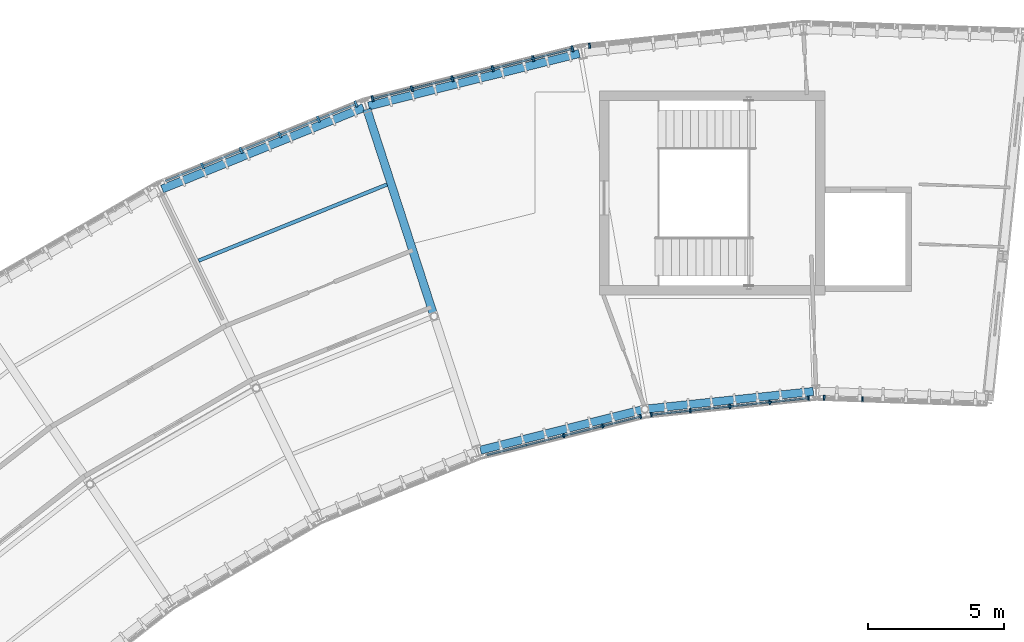
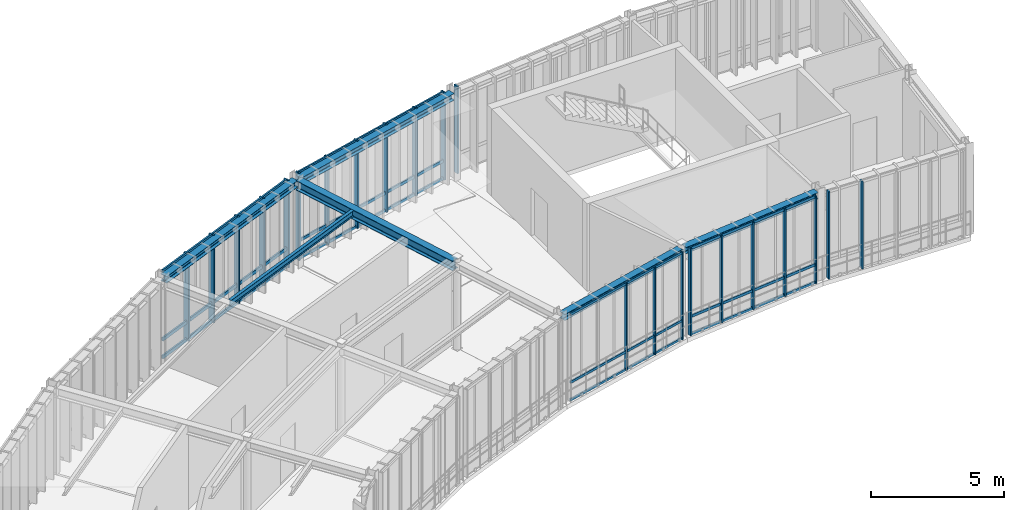
# One storey, part 21 of 52: 34 members, 6 beams, 6 elements without a shape of their own.
"""IFC4 building model written with IfcOpenShell, lengths in metres."""

from ifc_helpers import new_model, si_unit, direction, frame, origin, origin_2d, place, context, subcontext, project, spatial, rectangle, i_section, extrude, material, layer, layer_set, material_profile, profile_set, type_object, element, aggregate, save


model = new_model("IFC4")

# Units and contexts
model_context = context("Model", 3, precision=1e-05, world=origin(), true_north=direction((0.0, 1.0)))
body_context = subcontext(model_context, "Body", "Model", "MODEL_VIEW")
ifc_project = project(units=[si_unit("LENGTHUNIT", "METRE"), si_unit("AREAUNIT", "SQUARE_METRE"), si_unit("VOLUMEUNIT", "CUBIC_METRE"), si_unit("PLANEANGLEUNIT", "RADIAN"), si_unit("MASSUNIT", "GRAM", prefix="KILO"), si_unit("THERMODYNAMICTEMPERATUREUNIT", "KELVIN"), si_unit("POWERUNIT", "WATT")], contexts=[model_context])

# Site, building, storey
site_placement = place(None, origin())
site = spatial("IfcSite", under=ifc_project, at=site_placement, CompositionType="ELEMENT")
building_placement = place(site_placement, origin())
building = spatial("IfcBuilding", under=site, at=building_placement, Name="Solvatero Civic Police Headquarters", CompositionType="ELEMENT")
storey_placement = place(building_placement, frame((0.0, 0.0, 13.5)))
storey = spatial("IfcBuildingStorey", under=building, at=storey_placement, Name="L03", CompositionType="ELEMENT", Elevation=13.5)

# Beams
ifc_material_1 = material(Name="Steel S355", Category="steel")
ifc_material_profile_1 = material_profile(ifc_material_1, i_section(OverallWidth=0.300048828125, OverallDepth=0.2900390625, WebThickness=0.008544921875, FlangeThickness=0.013916015625, FilletRadius=0.027099609375, at=origin_2d()), Name="HEA 300")
ifc_profile_set_1 = profile_set([ifc_material_profile_1], Name="Steel S355")
beam_type_1 = type_object("IfcBeamType", Name="BM-ST-HEA300", PredefinedType="SPANDREL", material=ifc_profile_set_1)
for number, where, z_axis, x_axis, name in (
    (1, (92.31787109375, 71.31201171875, 3.85498046875), (-0.994518545743, -0.104560327912, 0.0), (0.104560327912, -0.994518545743, 0.0), "Perimeter / radial spandrel beam BM-R2-L03-ARC-CIN-B02"),
    (2, (86.028076171875, 70.63671875, 3.85498046875), (-0.970299338414, -0.241907407643, 0.0), (0.241907407643, -0.970299338414, 0.0), "Perimeter / radial spandrel beam BM-R2-L03-ARC-CIN-B03"),
):
    element("IfcBeam", number, at=place(storey_placement, frame(where, z_axis=z_axis, x_axis=x_axis)), inside=storey, type_object=beam_type_1, Name=name, PredefinedType="SPANDREL", context=body_context, shape_type="SweptSolid", body=[
        extrude(i_section(OverallWidth=0.300048828125, OverallDepth=0.2900390625, WebThickness=0.008544921875, FlangeThickness=0.013916015625, FilletRadius=0.027099609375, at=origin_2d()), origin(), (0.0, 0.0, 1.0), 6.126953125),
    ])
ifc_material_profile_2 = material_profile(ifc_material_1, i_section(OverallWidth=0.300048828125, OverallDepth=0.31005859375, WebThickness=0.009033203125, FlangeThickness=0.015380859375, FilletRadius=0.027099609375, at=origin_2d()), Name="HEA 320")
ifc_profile_set_2 = profile_set([ifc_material_profile_2], Name="Steel S355")
beam_type_2 = type_object("IfcBeamType", Name="BM-ST-HEA320", PredefinedType="SPANDREL", material=ifc_profile_set_2)
beam_1_placement = place(storey_placement, frame((83.718505859375, 83.73486328125, 3.844970703125), z_axis=(-0.970295230115, -0.241923885586, 0.0), x_axis=(0.241923885586, -0.970295230115, 0.0)))
element("IfcBeam", 3, at=beam_1_placement, inside=storey, type_object=beam_type_2, Name="Perimeter / radial spandrel beam BM-R2-L03-ARC-COUT-B03", PredefinedType="SPANDREL", context=body_context, shape_type="SweptSolid", body=[
    extrude(i_section(OverallWidth=0.300048828125, OverallDepth=0.31005859375, WebThickness=0.009033203125, FlangeThickness=0.015380859375, FilletRadius=0.027099609375, at=origin_2d()), origin(), (0.0, 0.0, 1.0), 7.982421875),
])
beam_2_placement = place(storey_placement, frame((75.783447265625, 81.741943359375, 3.844970703125), z_axis=(-0.927188731, -0.374594523594, 0.0), x_axis=(0.374594523594, -0.927188731, 0.0)))
element("IfcBeam", 4, at=beam_2_placement, inside=storey, type_object=beam_type_2, Name="Perimeter / radial spandrel beam BM-R2-L03-ARC-COUT-B04", PredefinedType="SPANDREL", context=body_context, shape_type="SweptSolid", body=[
    extrude(i_section(OverallWidth=0.300048828125, OverallDepth=0.31005859375, WebThickness=0.009033203125, FlangeThickness=0.015380859375, FilletRadius=0.027099609375, at=origin_2d()), origin(), (0.0, 0.0, 1.0), 7.982666015625),
])
ifc_material_profile_3 = material_profile(ifc_material_1, i_section(OverallWidth=0.300048828125, OverallDepth=0.43994140625, WebThickness=0.011474609375, FlangeThickness=0.02099609375, FilletRadius=0.027099609375, at=origin_2d()), Name="HEA 450")
ifc_profile_set_3 = profile_set([ifc_material_profile_3], Name="Steel S355")
beam_type_3 = type_object("IfcBeamType", Name="BM-ST-HEA450", PredefinedType="BEAM", material=ifc_profile_set_3)
beam_3_placement = place(storey_placement, frame((78.348388671875, 74.1708984375, 3.780029296875), z_axis=(-0.309033663672, 0.951051099951, 0.0), x_axis=(-0.951051099951, -0.309033663672, 0.0)))
element("IfcBeam", 5, at=beam_3_placement, inside=storey, type_object=beam_type_3, Name="Primary girder BM-R2-L03-ARC-RAD2-S03", PredefinedType="BEAM", context=body_context, shape_type="SweptSolid", body=[
    extrude(i_section(OverallWidth=0.300048828125, OverallDepth=0.43994140625, WebThickness=0.011474609375, FlangeThickness=0.02099609375, FilletRadius=0.027099609375, at=origin_2d()), origin(), (0.0, 0.0, 1.0), 7.900146484375),
])
ifc_material_profile_4 = material_profile(ifc_material_1, i_section(OverallWidth=0.135009765625, OverallDepth=0.27001953125, WebThickness=0.006591796875, FlangeThickness=0.01025390625, FilletRadius=0.014892578125, at=origin_2d()), Name="IPE 270")
ifc_profile_set_4 = profile_set([ifc_material_profile_4], Name="Steel S355")
beam_type_4 = type_object("IfcBeamType", Name="BM-ST-IPE270", PredefinedType="BEAM", material=ifc_profile_set_4)
beam_4_placement = place(storey_placement, frame((76.648681640625, 78.91748046875, 3.864990234375), z_axis=(-0.92718880438, -0.374594341966, 0.0), x_axis=(0.374594341966, -0.92718880438, 0.0)))
element("IfcBeam", 6, at=beam_4_placement, inside=storey, type_object=beam_type_4, Name="Composite floor beam BM-R2-L03-ARC-CS2-B04", PredefinedType="BEAM", context=body_context, shape_type="SweptSolid", body=[
    extrude(i_section(OverallWidth=0.135009765625, OverallDepth=0.27001953125, WebThickness=0.006591796875, FlangeThickness=0.01025390625, FilletRadius=0.014892578125, at=origin_2d()), origin(), (0.0, 0.0, 1.0), 7.470947265625),
])

# Curtain wall, members
ifc_material_2 = material(Name="Anodized Bronze Aluminium", Category="aluminium")
ifc_layer_1 = layer(ifc_material_2, 0.179931640625)
ifc_layer_set_1 = layer_set([ifc_layer_1], Name="Anodized Bronze Aluminium")
curtain_wall_type_1 = type_object("IfcCurtainWallType", Name="CW-ARC-OUT", PredefinedType="USERDEFINED", material=ifc_layer_set_1)
curtain_wall_1_placement = place(storey_placement, origin())
curtain_wall_1 = element("IfcCurtainWall", 7, at=curtain_wall_1_placement, inside=storey, type_object=curtain_wall_type_1, Name="Curtain Wall CW-R2-L03-ARC-OUT-B04", ObjectType="UNITISED", PredefinedType="USERDEFINED")
ifc_material_profile_5 = material_profile(ifc_material_2, rectangle(XDim=0.080078125, YDim=0.239990234375, at=origin_2d()), Name="ALU MULLION 80x240")
ifc_profile_set_5 = profile_set([ifc_material_profile_5], Name="Anodized Bronze Aluminium")
member_type_1 = type_object("IfcMemberType", Name="CWM-140x60", PredefinedType="MULLION", material=ifc_profile_set_5)
member_1_placement = place(storey_placement, frame((75.507568359375, 81.8779296875, 0.0), z_axis=(0.0, 0.0, 1.0), x_axis=(-0.927190392544, -0.374590410948, 0.0)))
member_1 = element("IfcMember", 8, at=member_1_placement, type_object=member_type_1, Name="CW-R2-L03-ARC-OUT-B04 Mullion 1", PredefinedType="MULLION", context=body_context, shape_type="SweptSolid", body=[
    extrude(rectangle(XDim=0.080078125, YDim=0.239990234375, at=origin_2d()), origin(), (0.0, 0.0, 1.0), 4.0),
])
member_2_placement = place(storey_placement, frame((74.12548828125, 81.319580078125, 0.0), z_axis=(0.0, 0.0, 1.0), x_axis=(-0.927190392544, -0.374590410948, 0.0)))
member_2 = element("IfcMember", 9, at=member_2_placement, type_object=member_type_1, Name="CW-R2-L03-ARC-OUT-B04 Mullion 2", PredefinedType="MULLION", context=body_context, shape_type="SweptSolid", body=[
    extrude(rectangle(XDim=0.080078125, YDim=0.239990234375, at=origin_2d()), origin(), (0.0, 0.0, 1.0), 4.0),
])
member_3_placement = place(storey_placement, frame((72.70654296875, 80.74609375, 0.0), z_axis=(0.0, 0.0, 1.0), x_axis=(-0.927190392544, -0.374590410948, 0.0)))
member_3 = element("IfcMember", 10, at=member_3_placement, type_object=member_type_1, Name="CW-R2-L03-ARC-OUT-B04 Mullion 3", PredefinedType="MULLION", context=body_context, shape_type="SweptSolid", body=[
    extrude(rectangle(XDim=0.080078125, YDim=0.239990234375, at=origin_2d()), origin(), (0.0, 0.0, 1.0), 4.0),
])
member_4_placement = place(storey_placement, frame((71.287353515625, 80.1728515625, 0.0), z_axis=(0.0, 0.0, 1.0), x_axis=(-0.927190392544, -0.374590410948, 0.0)))
member_4 = element("IfcMember", 11, at=member_4_placement, type_object=member_type_1, Name="CW-R2-L03-ARC-OUT-B04 Mullion 4", PredefinedType="MULLION", context=body_context, shape_type="SweptSolid", body=[
    extrude(rectangle(XDim=0.080078125, YDim=0.239990234375, at=origin_2d()), origin(), (0.0, 0.0, 1.0), 4.0),
])
member_5_placement = place(storey_placement, frame((69.868408203125, 79.599609375, 0.0), z_axis=(0.0, 0.0, 1.0), x_axis=(-0.927190392544, -0.374590410948, 0.0)))
member_5 = element("IfcMember", 12, at=member_5_placement, type_object=member_type_1, Name="CW-R2-L03-ARC-OUT-B04 Mullion 5", PredefinedType="MULLION", context=body_context, shape_type="SweptSolid", body=[
    extrude(rectangle(XDim=0.080078125, YDim=0.239990234375, at=origin_2d()), origin(), (0.0, 0.0, 1.0), 4.0),
])

ifc_layer_2 = layer(ifc_material_2, 0.179931640625)
ifc_layer_set_2 = layer_set([ifc_layer_2], Name="Anodized Bronze Aluminium")
curtain_wall_type_2 = type_object("IfcCurtainWallType", Name="CW-ARC-IN", PredefinedType="USERDEFINED", material=ifc_layer_set_2)
curtain_wall_2_placement = place(storey_placement, origin())
curtain_wall_2 = element("IfcCurtainWall", 13, at=curtain_wall_2_placement, inside=storey, type_object=curtain_wall_type_2, Name="Curtain Wall CW-R2-L03-ARC-IN-B03", ObjectType="UNITISED", PredefinedType="USERDEFINED")
ifc_material_profile_6 = material_profile(ifc_material_2, rectangle(XDim=0.06005859375, YDim=0.139892578125, at=origin_2d()), Name="ALU MULLION 60x140")
ifc_profile_set_6 = profile_set([ifc_material_profile_6], Name="Anodized Bronze Aluminium")
member_type_2 = type_object("IfcMemberType", Name="CWM-160x65", PredefinedType="MULLION", material=ifc_profile_set_6)
member_6_placement = place(storey_placement, frame((85.970703125, 70.385986328125, 0.0), z_axis=(0.0, 0.0, 1.0), x_axis=(-0.970299948462, -0.241904960708, 0.0)))
member_6 = element("IfcMember", 14, at=member_6_placement, type_object=member_type_2, Name="CW-R2-L03-ARC-IN-B03 Mullion 1", PredefinedType="MULLION", context=body_context, shape_type="SweptSolid", body=[
    extrude(rectangle(XDim=0.06005859375, YDim=0.139892578125, at=origin_2d()), origin(), (0.0, 0.0, 1.0), 4.0),
])
member_7_placement = place(storey_placement, frame((84.57568359375, 70.0380859375, 0.0), z_axis=(0.0, 0.0, 1.0), x_axis=(-0.970299948462, -0.241904960708, 0.0)))
member_7 = element("IfcMember", 15, at=member_7_placement, type_object=member_type_2, Name="CW-R2-L03-ARC-IN-B03 Mullion 2", PredefinedType="MULLION", context=body_context, shape_type="SweptSolid", body=[
    extrude(rectangle(XDim=0.06005859375, YDim=0.139892578125, at=origin_2d()), origin(), (0.0, 0.0, 1.0), 4.0),
])
member_8_placement = place(storey_placement, frame((83.141845703125, 69.680908203125, 0.0), z_axis=(0.0, 0.0, 1.0), x_axis=(-0.970299948462, -0.241904960708, 0.0)))
member_8 = element("IfcMember", 16, at=member_8_placement, type_object=member_type_2, Name="CW-R2-L03-ARC-IN-B03 Mullion 3", PredefinedType="MULLION", context=body_context, shape_type="SweptSolid", body=[
    extrude(rectangle(XDim=0.06005859375, YDim=0.139892578125, at=origin_2d()), origin(), (0.0, 0.0, 1.0), 4.0),
])

curtain_wall_3_placement = place(storey_placement, origin())
curtain_wall_3 = element("IfcCurtainWall", 17, at=curtain_wall_3_placement, inside=storey, type_object=curtain_wall_type_2, Name="Curtain Wall CW-R2-L03-ARC-IN-B02", ObjectType="UNITISED", PredefinedType="USERDEFINED")
ifc_material_profile_7 = material_profile(ifc_material_2, rectangle(XDim=0.06005859375, YDim=0.159912109375, at=origin_2d()), Name="ALU MULLION 60x160")
ifc_profile_set_7 = profile_set([ifc_material_profile_7], Name="Anodized Bronze Aluminium")
member_type_3 = type_object("IfcMemberType", Name="CWM-180x70", PredefinedType="MULLION", material=ifc_profile_set_7)
member_9_placement = place(storey_placement, frame((92.137939453125, 71.062255859375, 0.0), z_axis=(0.0, 0.0, 1.0), x_axis=(-0.994521895368, -0.104528463268, 0.0)))
member_9 = element("IfcMember", 18, at=member_9_placement, type_object=member_type_3, Name="CW-R2-L03-ARC-IN-B02 Mullion 1", PredefinedType="MULLION", context=body_context, shape_type="SweptSolid", body=[
    extrude(rectangle(XDim=0.06005859375, YDim=0.159912109375, at=origin_2d()), origin(), (0.0, 0.0, 1.0), 4.0),
])
member_10_placement = place(storey_placement, frame((90.714599609375, 70.91259765625, 0.0), z_axis=(0.0, 0.0, 1.0), x_axis=(-0.994521895368, -0.104528463268, 0.0)))
member_10 = element("IfcMember", 19, at=member_10_placement, type_object=member_type_3, Name="CW-R2-L03-ARC-IN-B02 Mullion 2", PredefinedType="MULLION", context=body_context, shape_type="SweptSolid", body=[
    extrude(rectangle(XDim=0.06005859375, YDim=0.159912109375, at=origin_2d()), origin(), (0.0, 0.0, 1.0), 4.0),
])
member_11_placement = place(storey_placement, frame((89.251220703125, 70.7587890625, 0.0), z_axis=(0.0, 0.0, 1.0), x_axis=(-0.994521895368, -0.104528463268, 0.0)))
member_11 = element("IfcMember", 20, at=member_11_placement, type_object=member_type_3, Name="CW-R2-L03-ARC-IN-B02 Mullion 3", PredefinedType="MULLION", context=body_context, shape_type="SweptSolid", body=[
    extrude(rectangle(XDim=0.06005859375, YDim=0.159912109375, at=origin_2d()), origin(), (0.0, 0.0, 1.0), 4.0),
])
member_12_placement = place(storey_placement, frame((87.787841796875, 70.60498046875, 0.0), z_axis=(0.0, 0.0, 1.0), x_axis=(-0.994521895368, -0.104528463268, 0.0)))
member_12 = element("IfcMember", 21, at=member_12_placement, type_object=member_type_3, Name="CW-R2-L03-ARC-IN-B02 Mullion 4", PredefinedType="MULLION", context=body_context, shape_type="SweptSolid", body=[
    extrude(rectangle(XDim=0.06005859375, YDim=0.159912109375, at=origin_2d()), origin(), (0.0, 0.0, 1.0), 4.0),
])
member_13_placement = place(storey_placement, frame((86.364501953125, 70.45556640625, 0.0), z_axis=(0.0, 0.0, 1.0), x_axis=(-0.994521895368, -0.104528463268, 0.0)))
member_13 = element("IfcMember", 22, at=member_13_placement, type_object=member_type_3, Name="CW-R2-L03-ARC-IN-B02 Mullion 5", PredefinedType="MULLION", context=body_context, shape_type="SweptSolid", body=[
    extrude(rectangle(XDim=0.06005859375, YDim=0.159912109375, at=origin_2d()), origin(), (0.0, 0.0, 1.0), 4.0),
])

curtain_wall_4_placement = place(storey_placement, origin())
curtain_wall_4 = element("IfcCurtainWall", 23, at=curtain_wall_4_placement, inside=storey, type_object=curtain_wall_type_2, Name="Curtain Wall CW-R2-L03-ARC-IN-B01", ObjectType="UNITISED", PredefinedType="USERDEFINED")
ifc_material_profile_8 = material_profile(ifc_material_2, rectangle(XDim=0.06494140625, YDim=0.179931640625, at=origin_2d()), Name="ALU MULLION 65x180")
ifc_profile_set_8 = profile_set([ifc_material_profile_8], Name="Anodized Bronze Aluminium")
member_type_4 = type_object("IfcMemberType", Name="CWM-200x75", PredefinedType="MULLION", material=ifc_profile_set_8)
member_14_placement = place(storey_placement, frame((94.12255859375, 71.033203125, 0.0), z_axis=(0.0, 0.0, 1.0), x_axis=(-0.999390827019, 0.034899496703, 0.0)))
member_14 = element("IfcMember", 24, at=member_14_placement, type_object=member_type_4, Name="CW-R2-L03-ARC-IN-B01 Mullion 4", PredefinedType="MULLION", context=body_context, shape_type="SweptSolid", body=[
    extrude(rectangle(XDim=0.06494140625, YDim=0.179931640625, at=origin_2d()), origin(), (0.0, 0.0, 1.0), 4.0),
])
member_15_placement = place(storey_placement, frame((92.714111328125, 71.08251953125, 0.0), z_axis=(0.0, 0.0, 1.0), x_axis=(-0.999390827019, 0.034899496703, 0.0)))
member_15 = element("IfcMember", 25, at=member_15_placement, type_object=member_type_4, Name="CW-R2-L03-ARC-IN-B01 Mullion 5", PredefinedType="MULLION", context=body_context, shape_type="SweptSolid", body=[
    extrude(rectangle(XDim=0.06494140625, YDim=0.179931640625, at=origin_2d()), origin(), (0.0, 0.0, 1.0), 4.0),
])
aggregate(curtain_wall_4, [member_14, member_15])

# Curtain wall, member
curtain_wall_5_placement = place(storey_placement, origin())
curtain_wall_5 = element("IfcCurtainWall", 26, at=curtain_wall_5_placement, inside=storey, type_object=curtain_wall_type_1, Name="Curtain Wall CW-R2-L03-ARC-OUT-B02", ObjectType="UNITISED", PredefinedType="USERDEFINED")
ifc_material_profile_9 = material_profile(ifc_material_2, rectangle(XDim=0.070068359375, YDim=0.199951171875, at=origin_2d()), Name="ALU MULLION 70x200")
ifc_profile_set_9 = profile_set([ifc_material_profile_9], Name="Anodized Bronze Aluminium")
member_type_5 = type_object("IfcMemberType", Name="CWM-220x80", PredefinedType="MULLION", material=ifc_profile_set_9)
member_16_placement = place(storey_placement, frame((84.094970703125, 84.01904296875, 0.0), z_axis=(0.0, 0.0, 1.0), x_axis=(-0.994523719583, -0.10451110557, 0.0)))
member_16 = element("IfcMember", 27, at=member_16_placement, type_object=member_type_5, Name="CW-R2-L03-ARC-OUT-B02 Mullion 6", PredefinedType="MULLION", context=body_context, shape_type="SweptSolid", body=[
    extrude(rectangle(XDim=0.070068359375, YDim=0.199951171875, at=origin_2d()), origin(), (0.0, 0.0, 1.0), 4.0),
])
aggregate(curtain_wall_5, [member_16])

# Curtain wall, members
curtain_wall_6_placement = place(storey_placement, origin())
curtain_wall_6 = element("IfcCurtainWall", 28, at=curtain_wall_6_placement, inside=storey, type_object=curtain_wall_type_1, Name="Curtain Wall CW-R2-L03-ARC-OUT-B03", ObjectType="UNITISED", PredefinedType="USERDEFINED")
ifc_material_profile_10 = material_profile(ifc_material_2, rectangle(XDim=0.074951171875, YDim=0.219970703125, at=origin_2d()), Name="ALU MULLION 75x220")
ifc_profile_set_10 = profile_set([ifc_material_profile_10], Name="Anodized Bronze Aluminium")
member_type_6 = type_object("IfcMemberType", Name="CWM-250x85", PredefinedType="MULLION", material=ifc_profile_set_10)
member_17_placement = place(storey_placement, frame((83.464111328125, 83.90771484375, 0.0), z_axis=(0.0, 0.0, 1.0), x_axis=(-0.970295726276, -0.2419218956, 0.0)))
member_17 = element("IfcMember", 29, at=member_17_placement, type_object=member_type_6, Name="CW-R2-L03-ARC-OUT-B03 Mullion 1", PredefinedType="MULLION", context=body_context, shape_type="SweptSolid", body=[
    extrude(rectangle(XDim=0.074951171875, YDim=0.219970703125, at=origin_2d()), origin(), (0.0, 0.0, 1.0), 4.0),
])
member_18_placement = place(storey_placement, frame((82.017822265625, 83.547119140625, 0.0), z_axis=(0.0, 0.0, 1.0), x_axis=(-0.970295726276, -0.2419218956, 0.0)))
member_18 = element("IfcMember", 30, at=member_18_placement, type_object=member_type_6, Name="CW-R2-L03-ARC-OUT-B03 Mullion 2", PredefinedType="MULLION", context=body_context, shape_type="SweptSolid", body=[
    extrude(rectangle(XDim=0.074951171875, YDim=0.219970703125, at=origin_2d()), origin(), (0.0, 0.0, 1.0), 4.0),
])
member_19_placement = place(storey_placement, frame((80.532958984375, 83.177001953125, 0.0), z_axis=(0.0, 0.0, 1.0), x_axis=(-0.970295726276, -0.2419218956, 0.0)))
member_19 = element("IfcMember", 31, at=member_19_placement, type_object=member_type_6, Name="CW-R2-L03-ARC-OUT-B03 Mullion 3", PredefinedType="MULLION", context=body_context, shape_type="SweptSolid", body=[
    extrude(rectangle(XDim=0.074951171875, YDim=0.219970703125, at=origin_2d()), origin(), (0.0, 0.0, 1.0), 4.0),
])
member_20_placement = place(storey_placement, frame((79.0478515625, 82.806640625, 0.0), z_axis=(0.0, 0.0, 1.0), x_axis=(-0.970295726276, -0.2419218956, 0.0)))
member_20 = element("IfcMember", 32, at=member_20_placement, type_object=member_type_6, Name="CW-R2-L03-ARC-OUT-B03 Mullion 4", PredefinedType="MULLION", context=body_context, shape_type="SweptSolid", body=[
    extrude(rectangle(XDim=0.074951171875, YDim=0.219970703125, at=origin_2d()), origin(), (0.0, 0.0, 1.0), 4.0),
])
member_21_placement = place(storey_placement, frame((77.562744140625, 82.436279296875, 0.0), z_axis=(0.0, 0.0, 1.0), x_axis=(-0.970295726276, -0.2419218956, 0.0)))
member_21 = element("IfcMember", 33, at=member_21_placement, type_object=member_type_6, Name="CW-R2-L03-ARC-OUT-B03 Mullion 5", PredefinedType="MULLION", context=body_context, shape_type="SweptSolid", body=[
    extrude(rectangle(XDim=0.074951171875, YDim=0.219970703125, at=origin_2d()), origin(), (0.0, 0.0, 1.0), 4.0),
])
member_22_placement = place(storey_placement, frame((76.11669921875, 82.075927734375, 0.0), z_axis=(0.0, 0.0, 1.0), x_axis=(-0.970295726276, -0.2419218956, 0.0)))
member_22 = element("IfcMember", 34, at=member_22_placement, type_object=member_type_6, Name="CW-R2-L03-ARC-OUT-B03 Mullion 6", PredefinedType="MULLION", context=body_context, shape_type="SweptSolid", body=[
    extrude(rectangle(XDim=0.074951171875, YDim=0.219970703125, at=origin_2d()), origin(), (0.0, 0.0, 1.0), 4.0),
])

# Member
ifc_material_profile_11 = material_profile(ifc_material_2, rectangle(XDim=0.070068359375, YDim=0.159912109375, at=origin_2d()), Name="ALU TRANSOM 70x160")
ifc_profile_set_11 = profile_set([ifc_material_profile_11], Name="Anodized Bronze Aluminium")
member_type_7 = type_object("IfcMemberType", Name="CWT-120x55", PredefinedType="USERDEFINED", material=ifc_profile_set_11)
member_23_placement = place(storey_placement, frame((75.498291015625, 81.874267578125, 0.0400390625), z_axis=(-0.927180309298, -0.374615368143, 0.0), x_axis=(0.374615368143, -0.927180309298, 0.0)))
member_23 = element("IfcMember", 35, at=member_23_placement, type_object=member_type_7, Name="CW-R2-L03-ARC-OUT-B04 Transom 1", ObjectType="TRANSOM", PredefinedType="USERDEFINED", context=body_context, shape_type="SweptSolid", body=[
    extrude(rectangle(XDim=0.070068359375, YDim=0.159912109375, at=origin_2d()), origin(), (0.0, 0.0, 1.0), 7.552734375),
])

member_24_placement = place(storey_placement, frame((75.498291015625, 81.874267578125, 0.85009765625), z_axis=(-0.927180309298, -0.374615368143, 0.0), x_axis=(0.374615368143, -0.927180309298, 0.0)))
member_24 = element("IfcMember", 36, at=member_24_placement, type_object=member_type_7, Name="CW-R2-L03-ARC-OUT-B04 Transom 2", ObjectType="TRANSOM", PredefinedType="USERDEFINED", context=body_context, shape_type="SweptSolid", body=[
    extrude(rectangle(XDim=0.070068359375, YDim=0.159912109375, at=origin_2d()), origin(), (0.0, 0.0, 1.0), 7.552734375),
])

member_25_placement = place(storey_placement, frame((75.498291015625, 81.874267578125, 3.9599609375), z_axis=(-0.927180309298, -0.374615368143, 0.0), x_axis=(0.374615368143, -0.927180309298, 0.0)))
member_25 = element("IfcMember", 37, at=member_25_placement, type_object=member_type_7, Name="CW-R2-L03-ARC-OUT-B04 Transom 3", ObjectType="TRANSOM", PredefinedType="USERDEFINED", context=body_context, shape_type="SweptSolid", body=[
    extrude(rectangle(XDim=0.070068359375, YDim=0.159912109375, at=origin_2d()), origin(), (0.0, 0.0, 1.0), 7.552734375),
])

aggregate(curtain_wall_1, [member_1, member_2, member_3, member_4, member_5, member_23, member_24, member_25])

ifc_material_profile_12 = material_profile(ifc_material_2, rectangle(XDim=0.06005859375, YDim=0.110107421875, at=origin_2d()), Name="ALU TRANSOM 60x110")
ifc_profile_set_12 = profile_set([ifc_material_profile_12], Name="Anodized Bronze Aluminium")
member_type_8 = type_object("IfcMemberType", Name="CWT-140x60", PredefinedType="USERDEFINED", material=ifc_profile_set_12)
member_26_placement = place(storey_placement, frame((85.9609375, 70.383544921875, 0.0400390625), z_axis=(-0.97030294127, -0.241892955999, 0.0), x_axis=(0.241892955999, -0.97030294127, 0.0)))
member_26 = element("IfcMember", 38, at=member_26_placement, type_object=member_type_8, Name="CW-R2-L03-ARC-IN-B03 Transom 1", ObjectType="TRANSOM", PredefinedType="USERDEFINED", context=body_context, shape_type="SweptSolid", body=[
    extrude(rectangle(XDim=0.06005859375, YDim=0.110107421875, at=origin_2d()), origin(), (0.0, 0.0, 1.0), 5.810546875),
])

member_27_placement = place(storey_placement, frame((85.9609375, 70.383544921875, 0.85009765625), z_axis=(-0.97030294127, -0.241892955999, 0.0), x_axis=(0.241892955999, -0.97030294127, 0.0)))
member_27 = element("IfcMember", 39, at=member_27_placement, type_object=member_type_8, Name="CW-R2-L03-ARC-IN-B03 Transom 2", ObjectType="TRANSOM", PredefinedType="USERDEFINED", context=body_context, shape_type="SweptSolid", body=[
    extrude(rectangle(XDim=0.06005859375, YDim=0.110107421875, at=origin_2d()), origin(), (0.0, 0.0, 1.0), 5.810546875),
])

member_28_placement = place(storey_placement, frame((85.9609375, 70.383544921875, 3.9599609375), z_axis=(-0.97030294127, -0.241892955999, 0.0), x_axis=(0.241892955999, -0.97030294127, 0.0)))
member_28 = element("IfcMember", 40, at=member_28_placement, type_object=member_type_8, Name="CW-R2-L03-ARC-IN-B03 Transom 3", ObjectType="TRANSOM", PredefinedType="USERDEFINED", context=body_context, shape_type="SweptSolid", body=[
    extrude(rectangle(XDim=0.06005859375, YDim=0.110107421875, at=origin_2d()), origin(), (0.0, 0.0, 1.0), 5.810546875),
])

aggregate(curtain_wall_2, [member_6, member_7, member_8, member_26, member_27, member_28])

ifc_material_profile_13 = material_profile(ifc_material_2, rectangle(XDim=0.06005859375, YDim=0.125, at=origin_2d()), Name="ALU TRANSOM 60x125")
ifc_profile_set_13 = profile_set([ifc_material_profile_13], Name="Anodized Bronze Aluminium")
member_type_9 = type_object("IfcMemberType", Name="CWT-160x65", PredefinedType="USERDEFINED", material=ifc_profile_set_13)
member_29_placement = place(storey_placement, frame((92.128173828125, 71.061279296875, 0.0400390625), z_axis=(-0.994522319191, -0.104524430781, 0.0), x_axis=(0.104524430781, -0.994522319191, 0.0)))
member_29 = element("IfcMember", 41, at=member_29_placement, type_object=member_type_9, Name="CW-R2-L03-ARC-IN-B02 Transom 1", ObjectType="TRANSOM", PredefinedType="USERDEFINED", context=body_context, shape_type="SweptSolid", body=[
    extrude(rectangle(XDim=0.06005859375, YDim=0.125, at=origin_2d()), origin(), (0.0, 0.0, 1.0), 5.78564453125),
])

member_30_placement = place(storey_placement, frame((92.128173828125, 71.061279296875, 0.85009765625), z_axis=(-0.994522319191, -0.104524430781, 0.0), x_axis=(0.104524430781, -0.994522319191, 0.0)))
member_30 = element("IfcMember", 42, at=member_30_placement, type_object=member_type_9, Name="CW-R2-L03-ARC-IN-B02 Transom 2", ObjectType="TRANSOM", PredefinedType="USERDEFINED", context=body_context, shape_type="SweptSolid", body=[
    extrude(rectangle(XDim=0.06005859375, YDim=0.125, at=origin_2d()), origin(), (0.0, 0.0, 1.0), 5.78564453125),
])

member_31_placement = place(storey_placement, frame((92.128173828125, 71.061279296875, 3.9599609375), z_axis=(-0.994522319191, -0.104524430781, 0.0), x_axis=(0.104524430781, -0.994522319191, 0.0)))
member_31 = element("IfcMember", 43, at=member_31_placement, type_object=member_type_9, Name="CW-R2-L03-ARC-IN-B02 Transom 3", ObjectType="TRANSOM", PredefinedType="USERDEFINED", context=body_context, shape_type="SweptSolid", body=[
    extrude(rectangle(XDim=0.06005859375, YDim=0.125, at=origin_2d()), origin(), (0.0, 0.0, 1.0), 5.78564453125),
])

aggregate(curtain_wall_3, [member_9, member_10, member_11, member_12, member_13, member_29, member_30, member_31])

ifc_material_profile_14 = material_profile(ifc_material_2, rectangle(XDim=0.06494140625, YDim=0.139892578125, at=origin_2d()), Name="ALU TRANSOM 65x140")
ifc_profile_set_14 = profile_set([ifc_material_profile_14], Name="Anodized Bronze Aluminium")
member_type_10 = type_object("IfcMemberType", Name="CWT-180x70", PredefinedType="USERDEFINED", material=ifc_profile_set_14)
member_32_placement = place(storey_placement, frame((83.454345703125, 83.905517578125, 0.0400390625), z_axis=(-0.970294431235, -0.241927089664, 0.0), x_axis=(0.241927089664, -0.970294431235, 0.0)))
member_32 = element("IfcMember", 44, at=member_32_placement, type_object=member_type_10, Name="CW-R2-L03-ARC-OUT-B03 Transom 1", ObjectType="TRANSOM", PredefinedType="USERDEFINED", context=body_context, shape_type="SweptSolid", body=[
    extrude(rectangle(XDim=0.06494140625, YDim=0.139892578125, at=origin_2d()), origin(), (0.0, 0.0, 1.0), 7.552490234375),
])

member_33_placement = place(storey_placement, frame((83.454345703125, 83.905517578125, 0.85009765625), z_axis=(-0.970294431235, -0.241927089664, 0.0), x_axis=(0.241927089664, -0.970294431235, 0.0)))
member_33 = element("IfcMember", 45, at=member_33_placement, type_object=member_type_10, Name="CW-R2-L03-ARC-OUT-B03 Transom 2", ObjectType="TRANSOM", PredefinedType="USERDEFINED", context=body_context, shape_type="SweptSolid", body=[
    extrude(rectangle(XDim=0.06494140625, YDim=0.139892578125, at=origin_2d()), origin(), (0.0, 0.0, 1.0), 7.552490234375),
])

member_34_placement = place(storey_placement, frame((83.454345703125, 83.905517578125, 3.9599609375), z_axis=(-0.970294431235, -0.241927089664, 0.0), x_axis=(0.241927089664, -0.970294431235, 0.0)))
member_34 = element("IfcMember", 46, at=member_34_placement, type_object=member_type_10, Name="CW-R2-L03-ARC-OUT-B03 Transom 3", ObjectType="TRANSOM", PredefinedType="USERDEFINED", context=body_context, shape_type="SweptSolid", body=[
    extrude(rectangle(XDim=0.06494140625, YDim=0.139892578125, at=origin_2d()), origin(), (0.0, 0.0, 1.0), 7.552490234375),
])

aggregate(curtain_wall_6, [member_17, member_18, member_19, member_20, member_21, member_22, member_32, member_33, member_34])

save(model, "model.ifc")
